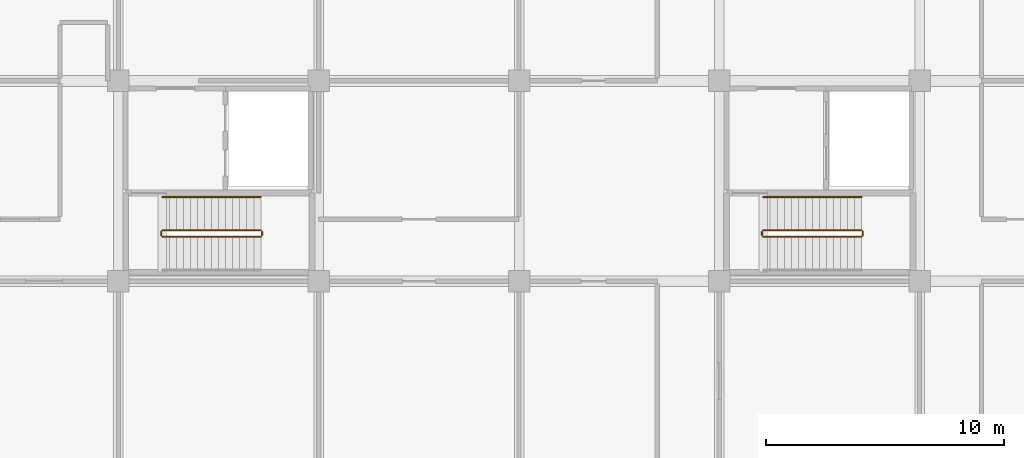
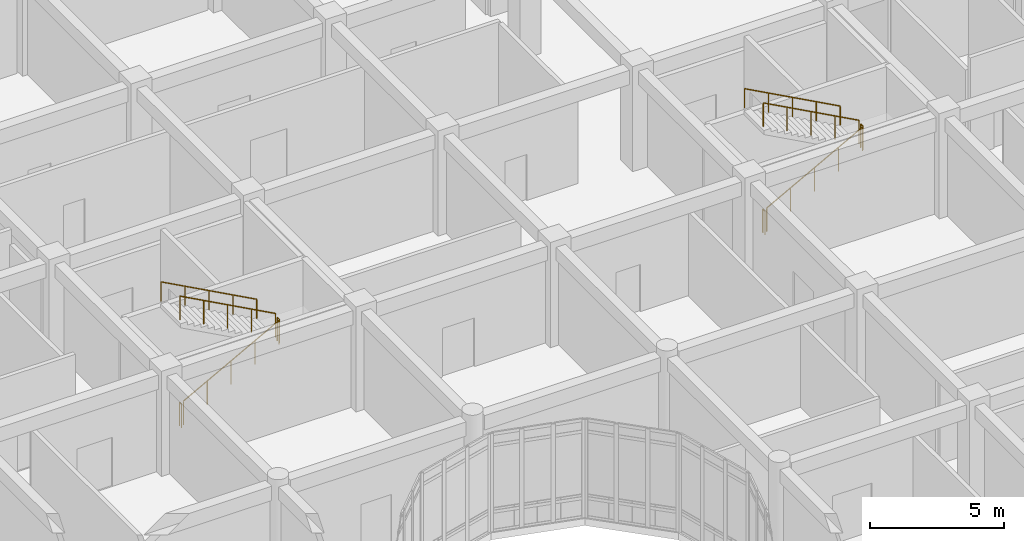
# One storey, part 129 of 138: 10 railings.
"""IFC4 building model written with IfcOpenShell, lengths in metres."""

from ifc_helpers import new_model, si_unit, direction, frame, origin, origin_2d, place, context, subcontext, project, spatial, circle, extrude, material, type_object, element, save


model = new_model("IFC4")

# Units and contexts
model_context = context("Model", 3, precision=1e-05, world=origin(), true_north=direction((0.0, 1.0)))
body_context = subcontext(model_context, "Body", "Model", "MODEL_VIEW")
ifc_project = project(units=[si_unit("LENGTHUNIT", "METRE"), si_unit("AREAUNIT", "SQUARE_METRE"), si_unit("VOLUMEUNIT", "CUBIC_METRE"), si_unit("PLANEANGLEUNIT", "RADIAN"), si_unit("MASSUNIT", "GRAM", prefix="KILO")], contexts=[model_context])

# Site, building, storey
site_placement = place(None, origin())
site = spatial("IfcSite", under=ifc_project, at=site_placement, CompositionType="ELEMENT")
building_placement = place(site_placement, origin())
building = spatial("IfcBuilding", under=site, at=building_placement, Name="Bramfleet General Hospital", CompositionType="ELEMENT")
storey_placement = place(building_placement, origin())
storey = spatial("IfcBuildingStorey", under=building, at=storey_placement, Name="L00", CompositionType="ELEMENT", Elevation=0.0)

# Railings
ifc_material_1 = material(Name="Powder-coated steel stair balustrade", Category="steel")
railing_type_1 = type_object("IfcRailingType", Name="RAIL-ST-GUARD", PredefinedType="GUARDRAIL", material=ifc_material_1)
railing_1_placement = place(storey_placement, frame((102.639892578125, 94.27001953125, 0.159912109375)))
element("IfcRailing", 1, at=railing_1_placement, inside=storey, type_object=railing_type_1, Name="L00 ST-C4 stair guard 1", PredefinedType="GUARDRAIL", context=body_context, shape_type="SweptSolid", body=[
    extrude(circle(Radius=0.02392578125, at=origin_2d()), frame((0.0, 0.0, 1.076171875), z_axis=(0.879038868435, 0.0, 0.476750110415), x_axis=(0.0, 1.0, 0.0)), (0.0, 0.0, 1.0), 4.698486328125),
    extrude(circle(Radius=0.02099609375, at=origin_2d()), origin(), (0.0, 0.0, 1.0), 1.052001953125),
    extrude(circle(Radius=0.02099609375, at=origin_2d()), frame((1.032470703125, 0.0, 0.56005859375)), (0.0, 0.0, 1.0), 1.052001953125),
    extrude(circle(Radius=0.02099609375, at=origin_2d()), frame((2.06494140625, 0.0, 1.1201171875)), (0.0, 0.0, 1.0), 1.052001953125),
    extrude(circle(Radius=0.02099609375, at=origin_2d()), frame((3.09765625, 0.0, 1.679931640625)), (0.0, 0.0, 1.0), 1.052001953125),
    extrude(circle(Radius=0.02099609375, at=origin_2d()), frame((4.130126953125, 0.0, 2.239990234375)), (0.0, 0.0, 1.0), 1.052001953125),
])
railing_2_placement = place(storey_placement, frame((106.820068359375, 94.320068359375, 2.39990234375)))
element("IfcRailing", 2, at=railing_2_placement, inside=storey, type_object=railing_type_1, Name="L00 ST-C4 stair guard 2", PredefinedType="GUARDRAIL", context=body_context, shape_type="SweptSolid", body=[
    extrude(circle(Radius=0.02392578125, at=origin_2d()), frame((0.0, 0.0, 1.076171875), z_axis=(0.0, 1.0, 0.0), x_axis=(-1.0, 0.0, 0.0)), (0.0, 0.0, 1.0), 0.159912109375),
    extrude(circle(Radius=0.02099609375, at=origin_2d()), origin(), (0.0, 0.0, 1.0), 1.052001953125),
    extrude(circle(Radius=0.02099609375, at=origin_2d()), frame((0.0, 0.159912109375, 0.0)), (0.0, 0.0, 1.0), 1.052001953125),
])
railing_3_placement = place(storey_placement, frame((106.77001953125, 94.530029296875, 2.56005859375)))
element("IfcRailing", 3, at=railing_3_placement, inside=storey, type_object=railing_type_1, Name="L00 ST-C4 stair guard 3", PredefinedType="GUARDRAIL", context=body_context, shape_type="SweptSolid", body=[
    extrude(circle(Radius=0.02392578125, at=origin_2d()), frame((0.0, 0.0, 1.076171875), z_axis=(-0.879038868435, 0.0, 0.476750110415), x_axis=(0.0, -1.0, 0.0)), (0.0, 0.0, 1.0), 4.698486328125),
    extrude(circle(Radius=0.02099609375, at=origin_2d()), origin(), (0.0, 0.0, 1.0), 1.052001953125),
    extrude(circle(Radius=0.02099609375, at=origin_2d()), frame((-1.032470703125, 0.0, 0.56005859375)), (0.0, 0.0, 1.0), 1.052001953125),
    extrude(circle(Radius=0.02099609375, at=origin_2d()), frame((-2.06494140625, 0.0, 1.1201171875)), (0.0, 0.0, 1.0), 1.052001953125),
    extrude(circle(Radius=0.02099609375, at=origin_2d()), frame((-3.09765625, 0.0, 1.679931640625)), (0.0, 0.0, 1.0), 1.052001953125),
    extrude(circle(Radius=0.02099609375, at=origin_2d()), frame((-4.130126953125, 0.0, 2.239990234375)), (0.0, 0.0, 1.0), 1.052001953125),
])
railing_4_placement = place(storey_placement, frame((102.590087890625, 94.320068359375, 0.0)))
element("IfcRailing", 4, at=railing_4_placement, inside=storey, type_object=railing_type_1, Name="L00 ST-C4 stair guard 4", PredefinedType="GUARDRAIL", context=body_context, shape_type="SweptSolid", body=[
    extrude(circle(Radius=0.02392578125, at=origin_2d()), frame((0.0, 0.0, 1.076171875), z_axis=(0.0, 1.0, 0.0), x_axis=(-1.0, 0.0, 0.0)), (0.0, 0.0, 1.0), 0.159912109375),
    extrude(circle(Radius=0.02099609375, at=origin_2d()), origin(), (0.0, 0.0, 1.0), 1.052001953125),
    extrude(circle(Radius=0.02099609375, at=origin_2d()), frame((0.0, 0.159912109375, 0.0)), (0.0, 0.0, 1.0), 1.052001953125),
])
railing_5_placement = place(storey_placement, frame((77.43994140625, 94.27001953125, 0.159912109375)))
element("IfcRailing", 5, at=railing_5_placement, inside=storey, type_object=railing_type_1, Name="L00 ST-C5 stair guard 1", PredefinedType="GUARDRAIL", context=body_context, shape_type="SweptSolid", body=[
    extrude(circle(Radius=0.02392578125, at=origin_2d()), frame((0.0, 0.0, 1.076171875), z_axis=(0.879038868435, 0.0, 0.476750110415), x_axis=(0.0, 1.0, 0.0)), (0.0, 0.0, 1.0), 4.698486328125),
    extrude(circle(Radius=0.02099609375, at=origin_2d()), origin(), (0.0, 0.0, 1.0), 1.052001953125),
    extrude(circle(Radius=0.02099609375, at=origin_2d()), frame((1.032470703125, 0.0, 0.56005859375)), (0.0, 0.0, 1.0), 1.052001953125),
    extrude(circle(Radius=0.02099609375, at=origin_2d()), frame((2.06494140625, 0.0, 1.1201171875)), (0.0, 0.0, 1.0), 1.052001953125),
    extrude(circle(Radius=0.02099609375, at=origin_2d()), frame((3.09765625, 0.0, 1.679931640625)), (0.0, 0.0, 1.0), 1.052001953125),
    extrude(circle(Radius=0.02099609375, at=origin_2d()), frame((4.130126953125, 0.0, 2.239990234375)), (0.0, 0.0, 1.0), 1.052001953125),
])
railing_6_placement = place(storey_placement, frame((81.6201171875, 94.320068359375, 2.39990234375)))
element("IfcRailing", 6, at=railing_6_placement, inside=storey, type_object=railing_type_1, Name="L00 ST-C5 stair guard 2", PredefinedType="GUARDRAIL", context=body_context, shape_type="SweptSolid", body=[
    extrude(circle(Radius=0.02392578125, at=origin_2d()), frame((0.0, 0.0, 1.076171875), z_axis=(0.0, 1.0, 0.0), x_axis=(-1.0, 0.0, 0.0)), (0.0, 0.0, 1.0), 0.159912109375),
    extrude(circle(Radius=0.02099609375, at=origin_2d()), origin(), (0.0, 0.0, 1.0), 1.052001953125),
    extrude(circle(Radius=0.02099609375, at=origin_2d()), frame((0.0, 0.159912109375, 0.0)), (0.0, 0.0, 1.0), 1.052001953125),
])
railing_7_placement = place(storey_placement, frame((81.570068359375, 94.530029296875, 2.56005859375)))
element("IfcRailing", 7, at=railing_7_placement, inside=storey, type_object=railing_type_1, Name="L00 ST-C5 stair guard 3", PredefinedType="GUARDRAIL", context=body_context, shape_type="SweptSolid", body=[
    extrude(circle(Radius=0.02392578125, at=origin_2d()), frame((0.0, 0.0, 1.076171875), z_axis=(-0.879038868435, 0.0, 0.476750110415), x_axis=(0.0, -1.0, 0.0)), (0.0, 0.0, 1.0), 4.698486328125),
    extrude(circle(Radius=0.02099609375, at=origin_2d()), origin(), (0.0, 0.0, 1.0), 1.052001953125),
    extrude(circle(Radius=0.02099609375, at=origin_2d()), frame((-1.032470703125, 0.0, 0.56005859375)), (0.0, 0.0, 1.0), 1.052001953125),
    extrude(circle(Radius=0.02099609375, at=origin_2d()), frame((-2.06494140625, 0.0, 1.1201171875)), (0.0, 0.0, 1.0), 1.052001953125),
    extrude(circle(Radius=0.02099609375, at=origin_2d()), frame((-3.09765625, 0.0, 1.679931640625)), (0.0, 0.0, 1.0), 1.052001953125),
    extrude(circle(Radius=0.02099609375, at=origin_2d()), frame((-4.130126953125, 0.0, 2.239990234375)), (0.0, 0.0, 1.0), 1.052001953125),
])
railing_8_placement = place(storey_placement, frame((77.389892578125, 94.320068359375, 0.0)))
element("IfcRailing", 8, at=railing_8_placement, inside=storey, type_object=railing_type_1, Name="L00 ST-C5 stair guard 4", PredefinedType="GUARDRAIL", context=body_context, shape_type="SweptSolid", body=[
    extrude(circle(Radius=0.02392578125, at=origin_2d()), frame((0.0, 0.0, 1.076171875), z_axis=(0.0, 1.0, 0.0), x_axis=(-1.0, 0.0, 0.0)), (0.0, 0.0, 1.0), 0.159912109375),
    extrude(circle(Radius=0.02099609375, at=origin_2d()), origin(), (0.0, 0.0, 1.0), 1.052001953125),
    extrude(circle(Radius=0.02099609375, at=origin_2d()), frame((0.0, 0.159912109375, 0.0)), (0.0, 0.0, 1.0), 1.052001953125),
])
ifc_material_2 = material(Name="Stainless steel 1.4301 stair handrail", Category="steel")
railing_type_2 = type_object("IfcRailingType", Name="RAIL-ST-HND", PredefinedType="HANDRAIL", material=ifc_material_2)
for number, where, name in (
    (9, (106.77001953125, 95.929931640625, 2.56005859375), "L00 ST-C4 stair handrail 2"),
    (10, (81.570068359375, 95.929931640625, 2.56005859375), "L00 ST-C5 stair handrail 2"),
):
    element("IfcRailing", number, at=place(storey_placement, frame(where)), inside=storey, type_object=railing_type_2, Name=name, PredefinedType="HANDRAIL", context=body_context, shape_type="SweptSolid", body=[
        extrude(circle(Radius=0.02392578125, at=origin_2d()), frame((0.0, 0.0, 0.8759765625), z_axis=(-0.879038868435, 0.0, 0.476750110415), x_axis=(0.0, -1.0, 0.0)), (0.0, 0.0, 1.0), 4.698486328125),
        extrude(circle(Radius=0.02099609375, at=origin_2d()), origin(), (0.0, 0.0, 1.0), 0.851806640625),
        extrude(circle(Radius=0.02099609375, at=origin_2d()), frame((-1.032470703125, 0.0, 0.56005859375)), (0.0, 0.0, 1.0), 0.851806640625),
        extrude(circle(Radius=0.02099609375, at=origin_2d()), frame((-2.06494140625, 0.0, 1.1201171875)), (0.0, 0.0, 1.0), 0.851806640625),
        extrude(circle(Radius=0.02099609375, at=origin_2d()), frame((-3.09765625, 0.0, 1.679931640625)), (0.0, 0.0, 1.0), 0.851806640625),
        extrude(circle(Radius=0.02099609375, at=origin_2d()), frame((-4.130126953125, 0.0, 2.239990234375)), (0.0, 0.0, 1.0), 0.851806640625),
    ])

save(model, "model.ifc")
